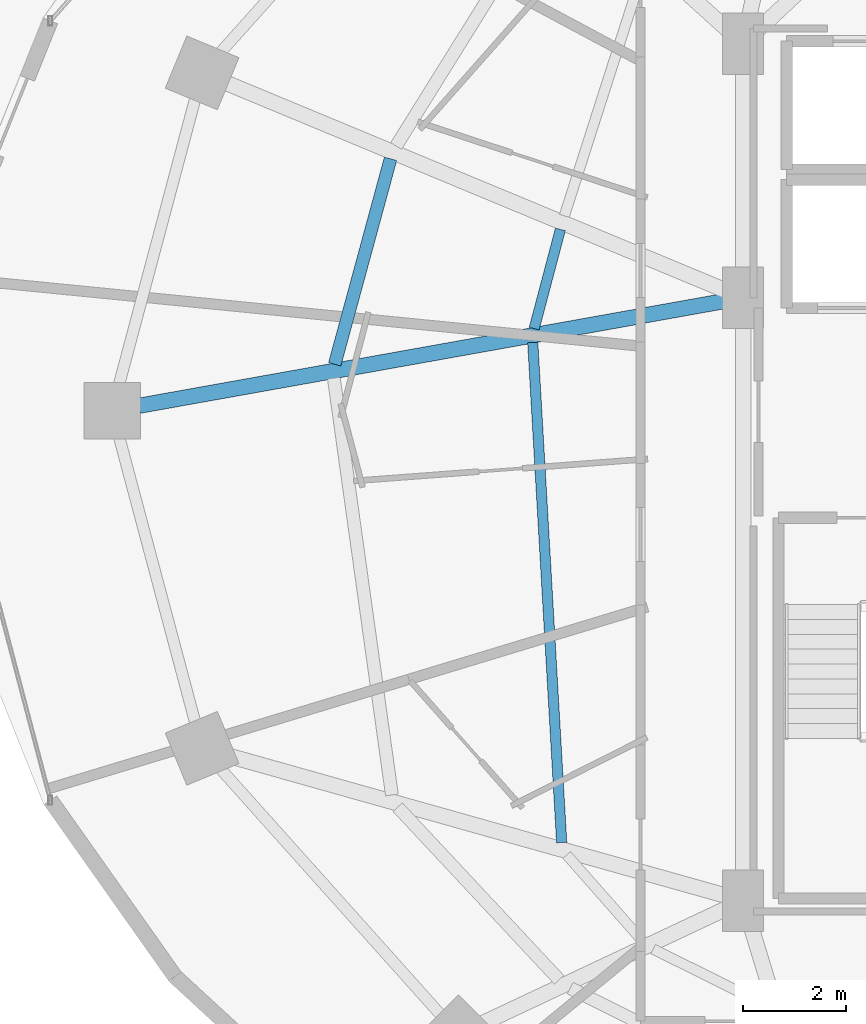
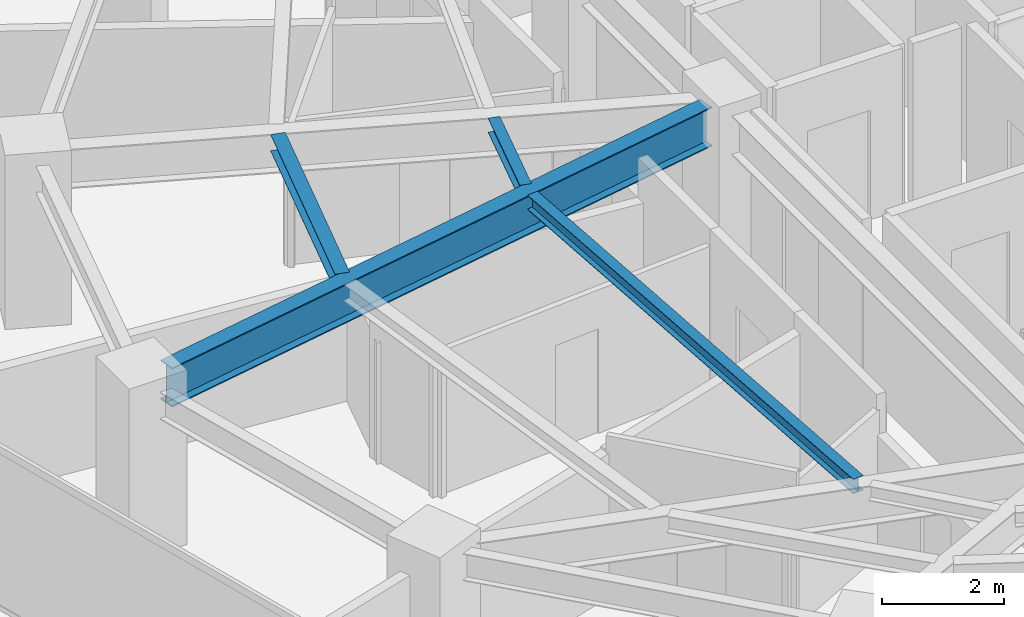
# One storey, part 7 of 29: 4 beams.
"""IFC4 building model written with IfcOpenShell, lengths in metres."""

from ifc_helpers import new_model, si_unit, direction, frame, origin, origin_2d, place, context, subcontext, project, spatial, i_section, extrude, material, material_profile, profile_set, type_object, element, save


model = new_model("IFC4")

# Units and contexts
model_context = context("Model", 3, precision=1e-05, world=origin(), true_north=direction((0.0, 1.0)))
body_context = subcontext(model_context, "Body", "Model", "MODEL_VIEW")
ifc_project = project(units=[si_unit("LENGTHUNIT", "METRE"), si_unit("AREAUNIT", "SQUARE_METRE"), si_unit("VOLUMEUNIT", "CUBIC_METRE"), si_unit("PLANEANGLEUNIT", "RADIAN"), si_unit("MASSUNIT", "GRAM", prefix="KILO")], contexts=[model_context])

# Site, building, storey
site_placement = place(None, origin())
site = spatial("IfcSite", under=ifc_project, at=site_placement, CompositionType="ELEMENT")
building_placement = place(site_placement, origin())
building = spatial("IfcBuilding", under=site, at=building_placement, Name="Vorneva Point Tower", CompositionType="ELEMENT")
storey_placement = place(building_placement, frame((0.0, 0.0, 113.800048828125)))
storey = spatial("IfcBuildingStorey", under=building, at=storey_placement, Name="L30", CompositionType="ELEMENT", Elevation=113.800048828125)

# Beams
ifc_material = material(Name="Steel S355", Category="steel")
ifc_material_profile_1 = material_profile(ifc_material, i_section(OverallWidth=0.300048828125, OverallDepth=0.7880859375, WebThickness=0.014404296875, FlangeThickness=0.02197265625, at=origin_2d()), Name="80Sh1")
ifc_profile_set_1 = profile_set([ifc_material_profile_1], Name="Steel S355")
beam_type_1 = type_object("IfcBeamType", Name="BM-GRD-80Sh1", PredefinedType="USERDEFINED", material=ifc_profile_set_1)
beam_1_placement = place(storey_placement, frame((15.4794921875, 26.0947265625, 2.845947265625), z_axis=(0.984378310682, 0.176066298476, 0.0), x_axis=(-0.176066298476, 0.984378310682, 0.0)))
element("IfcBeam", 1, at=beam_1_placement, inside=storey, type_object=beam_type_1, Name="L30 Radial Primary Girder 09", ObjectType="GIRDER", PredefinedType="USERDEFINED", context=body_context, shape_type="SweptSolid", body=[
    extrude(i_section(OverallWidth=0.300048828125, OverallDepth=0.7880859375, WebThickness=0.014404296875, FlangeThickness=0.02197265625, at=origin_2d()), origin(), (0.0, 0.0, 1.0), 11.6171875),
])
ifc_material_profile_2 = material_profile(ifc_material, i_section(OverallWidth=0.199951171875, OverallDepth=0.291015625, WebThickness=0.008056640625, FlangeThickness=0.010986328125, at=origin_2d()), Name="30Sh1")
ifc_profile_set_2 = profile_set([ifc_material_profile_2], Name="Steel S355")
beam_type_2 = type_object("IfcBeamType", Name="BM-SEC-30Sh1", PredefinedType="BEAM", material=ifc_profile_set_2)
beam_2_placement = place(storey_placement, frame((23.688232421875, 29.531982421875, 3.094482421875), z_axis=(-0.255724804331, -0.966749618283, 0.0), x_axis=(0.966749618283, -0.255724804331, 0.0)))
element("IfcBeam", 2, at=beam_2_placement, inside=storey, type_object=beam_type_2, Name="L30 Secondary Floor Beam 2.08", PredefinedType="BEAM", context=body_context, shape_type="SweptSolid", body=[
    extrude(i_section(OverallWidth=0.199951171875, OverallDepth=0.291015625, WebThickness=0.008056640625, FlangeThickness=0.010986328125, at=origin_2d()), origin(), (0.0, 0.0, 1.0), 2.0),
])
beam_3_placement = place(storey_placement, frame((23.1494140625, 27.327392578125, 3.094482421875), z_axis=(0.057791133112, -0.998328695838, 0.0), x_axis=(0.998328695838, 0.057791133112, 0.0)))
element("IfcBeam", 3, at=beam_3_placement, inside=storey, type_object=beam_type_2, Name="L30 Secondary Floor Beam 2.09", PredefinedType="BEAM", context=body_context, shape_type="SweptSolid", body=[
    extrude(i_section(OverallWidth=0.199951171875, OverallDepth=0.291015625, WebThickness=0.008056640625, FlangeThickness=0.010986328125, at=origin_2d()), origin(), (0.0, 0.0, 1.0), 9.762939453125),
])
ifc_material_profile_3 = material_profile(ifc_material, i_section(OverallWidth=0.2490234375, OverallDepth=0.333984375, WebThickness=0.008056640625, FlangeThickness=0.010986328125, at=origin_2d()), Name="35Sh1")
ifc_profile_set_3 = profile_set([ifc_material_profile_3], Name="Steel S355")
beam_type_3 = type_object("IfcBeamType", Name="BM-SEC-35Sh1", PredefinedType="BEAM", material=ifc_profile_set_3)
beam_4_placement = place(storey_placement, frame((20.377685546875, 30.90771484375, 3.072998046875), z_axis=(-0.262196401448, -0.96501453205, 0.0), x_axis=(0.96501453205, -0.262196401448, 0.0)))
element("IfcBeam", 4, at=beam_4_placement, inside=storey, type_object=beam_type_3, Name="L30 Secondary Floor Beam 1.08", PredefinedType="BEAM", context=body_context, shape_type="SweptSolid", body=[
    extrude(i_section(OverallWidth=0.2490234375, OverallDepth=0.333984375, WebThickness=0.008056640625, FlangeThickness=0.010986328125, at=origin_2d()), origin(), (0.0, 0.0, 1.0), 4.150146484375),
])

save(model, "model.ifc")
